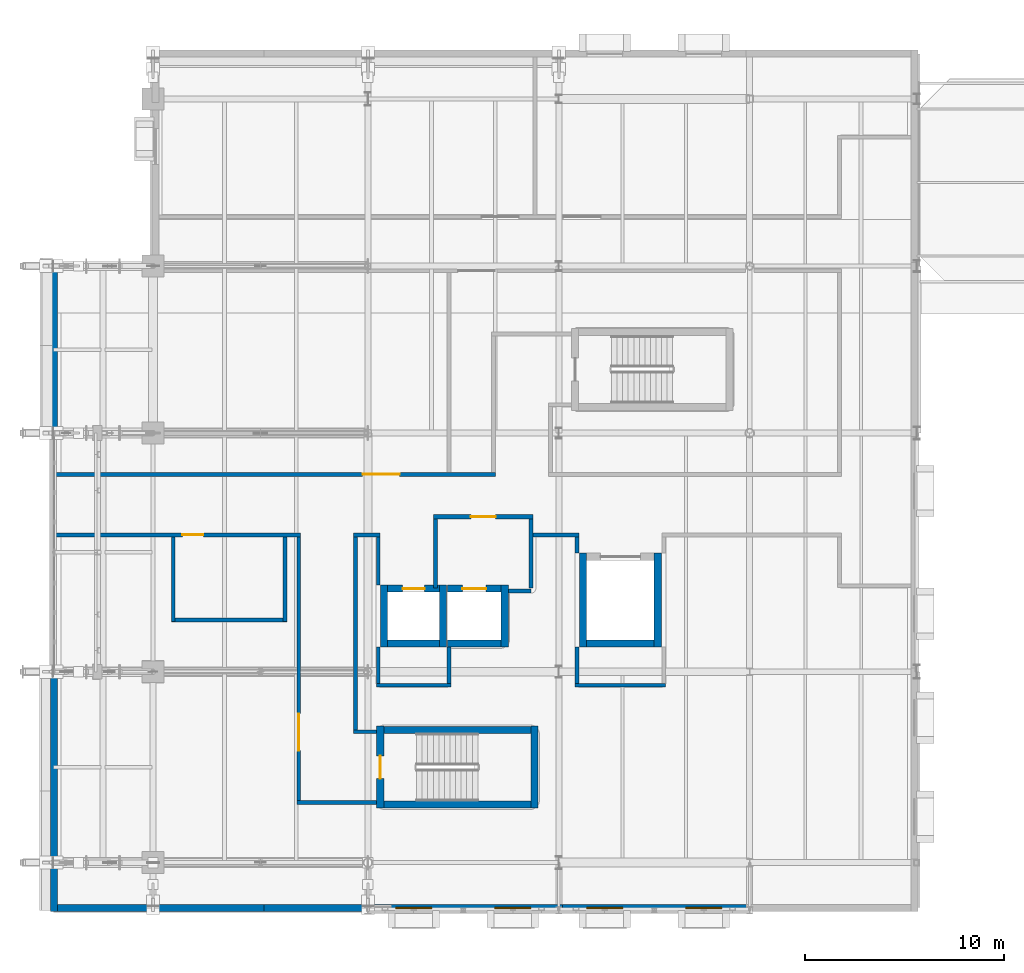
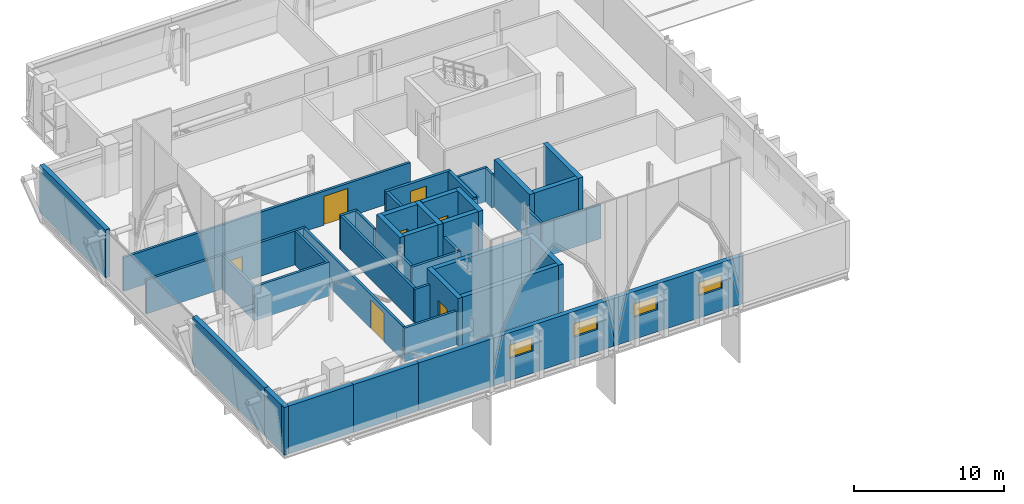
# One storey, part 61 of 90: 44 walls, 7 doors, 4 windows, 11 openings.
"""IFC4 building model written with IfcOpenShell, lengths in metres."""

from ifc_helpers import new_model, si_unit, direction, frame, frame_2d, origin, place, context, subcontext, project, spatial, rectangle, extrude, material, layer, layer_set, type_object, element, fill, save


model = new_model("IFC4")

# Units and contexts
model_context = context("Model", 3, precision=1e-05, world=origin(), true_north=direction((0.0, 1.0)))
body_context = subcontext(model_context, "Body", "Model", "MODEL_VIEW")
ifc_project = project(units=[si_unit("LENGTHUNIT", "METRE"), si_unit("AREAUNIT", "SQUARE_METRE"), si_unit("VOLUMEUNIT", "CUBIC_METRE"), si_unit("PLANEANGLEUNIT", "RADIAN"), si_unit("MASSUNIT", "GRAM", prefix="KILO")], contexts=[model_context])

# Site, building, storey
site_placement = place(None, origin())
site = spatial("IfcSite", under=ifc_project, at=site_placement, CompositionType="ELEMENT")
building_placement = place(site_placement, origin())
building = spatial("IfcBuilding", under=site, at=building_placement, Name="Zereglee Splitstone Museum", CompositionType="ELEMENT")
storey_placement = place(building_placement, frame((0.0, 0.0, 4.800048828125)))
storey = spatial("IfcBuildingStorey", under=building, at=storey_placement, Name="L01", CompositionType="ELEMENT", Elevation=4.800048828125)

# Wall, opening, door
ifc_material_1 = material(Name="Concrete C45/55", Category="concrete")
ifc_layer_1 = layer(ifc_material_1, 0.360107421875)
ifc_layer_set_1 = layer_set([ifc_layer_1], Name="Concrete C45/55")
wall_type_1 = type_object("IfcWallType", Name="CSW-02", PredefinedType="SHEAR", material=ifc_layer_set_1)
wall_1_placement = place(storey_placement, frame((21.02001953125, 2.739990234375, 0.0), z_axis=(0.0, 0.0, 1.0), x_axis=(0.0, 1.0, 0.0)))
wall_1 = element("IfcWall", 1, at=wall_1_placement, inside=storey, type_object=wall_type_1, Name="Stair Core Shear Wall ST-01 L01 West", PredefinedType="SHEAR", context=body_context, shape_type="SweptSolid", body=[
    extrude(rectangle(XDim=4.1201171875, YDim=0.360107421875, at=frame_2d((2.06005859375, 0.0))), origin(), (0.0, 0.0, 1.0), 3.8798828125),
])
opening_1_placement = place(wall_1_placement, frame((1.485107421875, 0.0, 0.0)))
opening_1 = element("IfcOpeningElement", 2, at=opening_1_placement, cuts=wall_1, Name="Opening ID-03", PredefinedType="OPENING", context=body_context, shape_type="SweptSolid", body=[
    extrude(rectangle(XDim=1.14990234375, YDim=2.14990234375, at=frame_2d((0.574951171875, 1.074951171875))), frame((0.0, 0.19482421875, 0.0), z_axis=(0.0, -1.0, 0.0), x_axis=(1.0, 0.0, 0.0)), (0.0, 0.0, 1.0), 0.389892578125),
])
ifc_material_2 = material(Name="Fire-rated steel and Siberian larch leaf", Category="steel")
door_type_1 = type_object("IfcDoorType", Name="ID-03", OperationType="NOTDEFINED", PredefinedType="DOOR", material=ifc_material_2)
door_1_placement = place(opening_1_placement, origin())
door_1 = element("IfcDoor", 3, at=door_1_placement, inside=storey, type_object=door_type_1, Name="Protected Stair Fire Door ST-01 L01", OperationType="SINGLE_SWING_LEFT", OverallHeight=2.14990234375, OverallWidth=1.14990234375, PredefinedType="DOOR", context=body_context, shape_type="SweptSolid", body=[
    extrude(rectangle(XDim=1.14990234375, YDim=2.14990234375, at=frame_2d((0.574951171875, 1.074951171875))), frame((0.0, 0.02490234375, 0.0), z_axis=(0.0, -1.0, 0.0), x_axis=(1.0, 0.0, 0.0)), (0.0, 0.0, 1.0), 0.050048828125),
])
fill(opening_1, door_1)

# Walls
wall_2_placement = place(storey_placement, frame((28.780029296875, 2.739990234375, 0.0), z_axis=(0.0, 0.0, 1.0), x_axis=(0.0, 1.0, 0.0)))
element("IfcWall", 4, at=wall_2_placement, inside=storey, type_object=wall_type_1, Name="Stair Core Shear Wall ST-01 L01 East", PredefinedType="SHEAR", context=body_context, shape_type="SweptSolid", body=[
    extrude(rectangle(XDim=4.1201171875, YDim=0.360107421875, at=frame_2d((2.06005859375, 0.0))), origin(), (0.0, 0.0, 1.0), 3.8798828125),
])
for number, where, z_axis, x_axis, name in (
    (5, (21.199951171875, 6.679931640625, 0.0), (0.0, 0.0, 1.0), (1.0, 0.0, 0.0), "Stair Core Shear Wall ST-01 L01 North"),
    (6, (21.199951171875, 2.919921875, 0.0), (0.0, 0.0, 1.0), (1.0, 0.0, 0.0), "Stair Core Shear Wall ST-01 L01 South"),
):
    element("IfcWall", number, at=place(storey_placement, frame(where, z_axis=z_axis, x_axis=x_axis)), inside=storey, type_object=wall_type_1, Name=name, PredefinedType="SHEAR", context=body_context, shape_type="SweptSolid", body=[
        extrude(rectangle(XDim=7.400146484375, YDim=0.360107421875, at=frame_2d((3.7001953125, 0.0))), origin(), (0.0, 0.0, 1.0), 3.8798828125),
    ])

# Wall, opening, door
wall_3_placement = place(storey_placement, frame((21.39990234375, 13.780029296875, 0.0), z_axis=(0.0, 0.0, 1.0), x_axis=(1.0, 0.0, 0.0)))
wall_3 = element("IfcWall", 7, at=wall_3_placement, inside=storey, type_object=wall_type_1, Name="Lift Shaft Wall PL-01 L01 North", PredefinedType="SHEAR", context=body_context, shape_type="SweptSolid", body=[
    extrude(rectangle(XDim=2.60009765625, YDim=0.360107421875, at=frame_2d((1.300048828125, 0.0))), origin(), (0.0, 0.0, 1.0), 3.8798828125),
])
opening_2_placement = place(wall_3_placement, frame((0.75, 0.0, 0.0)))
opening_2 = element("IfcOpeningElement", 8, at=opening_2_placement, cuts=wall_3, Name="Opening LD-01", PredefinedType="OPENING", context=body_context, shape_type="SweptSolid", body=[
    extrude(rectangle(XDim=1.10009765625, YDim=2.14990234375, at=frame_2d((0.550048828125, 1.074951171875))), frame((0.0, 0.19482421875, 0.0), z_axis=(0.0, -1.0, 0.0), x_axis=(1.0, 0.0, 0.0)), (0.0, 0.0, 1.0), 0.389892578125),
])
door_type_2 = type_object("IfcDoorType", Name="LD-01", OperationType="DOUBLE_DOOR_SLIDING", PredefinedType="DOOR", material=ifc_material_2)
door_2_placement = place(opening_2_placement, origin())
door_2 = element("IfcDoor", 9, at=door_2_placement, inside=storey, type_object=door_type_2, Name="Lift Landing Sliding Door PL-01 L01", OperationType="DOUBLE_DOOR_SLIDING", OverallHeight=2.14990234375, OverallWidth=1.10009765625, PredefinedType="DOOR", context=body_context, shape_type="SweptSolid", body=[
    extrude(rectangle(XDim=1.10009765625, YDim=2.14990234375, at=frame_2d((0.550048828125, 1.074951171875))), frame((0.0, 0.02490234375, 0.0), z_axis=(0.0, -1.0, 0.0), x_axis=(1.0, 0.0, 0.0)), (0.0, 0.0, 1.0), 0.050048828125),
])
fill(opening_2, door_2)

# Walls
wall_4_placement = place(storey_placement, frame((21.39990234375, 11.02001953125, 0.0), z_axis=(0.0, 0.0, 1.0), x_axis=(1.0, 0.0, 0.0)))
element("IfcWall", 10, at=wall_4_placement, inside=storey, type_object=wall_type_1, Name="Lift Shaft Wall PL-01 L01 South", PredefinedType="SHEAR", context=body_context, shape_type="SweptSolid", body=[
    extrude(rectangle(XDim=2.60009765625, YDim=0.360107421875, at=frame_2d((1.300048828125, 0.0))), origin(), (0.0, 0.0, 1.0), 3.8798828125),
])
for number, where, z_axis, x_axis, name in (
    (11, (21.219970703125, 10.840087890625, 0.0), (0.0, 0.0, 1.0), (0.0, 1.0, 0.0), "Lift Shaft Wall PL-01 L01 West"),
    (12, (24.179931640625, 10.840087890625, 0.0), (0.0, 0.0, 1.0), (0.0, 1.0, 0.0), "Lift Shaft Wall PL-01 L01 East"),
):
    element("IfcWall", number, at=place(storey_placement, frame(where, z_axis=z_axis, x_axis=x_axis)), inside=storey, type_object=wall_type_1, Name=name, PredefinedType="SHEAR", context=body_context, shape_type="SweptSolid", body=[
        extrude(rectangle(XDim=3.119873046875, YDim=0.360107421875, at=frame_2d((1.56005859375, 0.0))), origin(), (0.0, 0.0, 1.0), 3.8798828125),
    ])

# Wall, opening, door
wall_5_placement = place(storey_placement, frame((24.39990234375, 13.780029296875, 0.0), z_axis=(0.0, 0.0, 1.0), x_axis=(1.0, 0.0, 0.0)))
wall_5 = element("IfcWall", 13, at=wall_5_placement, inside=storey, type_object=wall_type_1, Name="Lift Shaft Wall FL-01 L01 North", PredefinedType="SHEAR", context=body_context, shape_type="SweptSolid", body=[
    extrude(rectangle(XDim=2.7001953125, YDim=0.360107421875, at=frame_2d((1.35009765625, 0.0))), origin(), (0.0, 0.0, 1.0), 3.8798828125),
])
opening_3_placement = place(wall_5_placement, frame((0.75, 0.0, 0.0)))
opening_3 = element("IfcOpeningElement", 14, at=opening_3_placement, cuts=wall_5, Name="Opening LD-02", PredefinedType="OPENING", context=body_context, shape_type="SweptSolid", body=[
    extrude(rectangle(XDim=1.199951171875, YDim=2.14990234375, at=frame_2d((0.60009765625, 1.074951171875))), frame((0.0, 0.19482421875, 0.0), z_axis=(0.0, -1.0, 0.0), x_axis=(1.0, 0.0, 0.0)), (0.0, 0.0, 1.0), 0.389892578125),
])
door_type_3 = type_object("IfcDoorType", Name="LD-02", OperationType="DOUBLE_DOOR_SLIDING", PredefinedType="DOOR", material=ifc_material_2)
door_3_placement = place(opening_3_placement, origin())
door_3 = element("IfcDoor", 15, at=door_3_placement, inside=storey, type_object=door_type_3, Name="Lift Landing Sliding Door FL-01 L01", OperationType="DOUBLE_DOOR_SLIDING", OverallHeight=2.14990234375, OverallWidth=1.199951171875, PredefinedType="DOOR", context=body_context, shape_type="SweptSolid", body=[
    extrude(rectangle(XDim=1.199951171875, YDim=2.14990234375, at=frame_2d((0.60009765625, 1.074951171875))), frame((0.0, 0.02490234375, 0.0), z_axis=(0.0, -1.0, 0.0), x_axis=(1.0, 0.0, 0.0)), (0.0, 0.0, 1.0), 0.050048828125),
])
fill(opening_3, door_3)

# Walls
wall_6_placement = place(storey_placement, frame((24.39990234375, 11.02001953125, 0.0), z_axis=(0.0, 0.0, 1.0), x_axis=(1.0, 0.0, 0.0)))
element("IfcWall", 16, at=wall_6_placement, inside=storey, type_object=wall_type_1, Name="Lift Shaft Wall FL-01 L01 South", PredefinedType="SHEAR", context=body_context, shape_type="SweptSolid", body=[
    extrude(rectangle(XDim=2.7001953125, YDim=0.360107421875, at=frame_2d((1.35009765625, 0.0))), origin(), (0.0, 0.0, 1.0), 3.8798828125),
])
wall_7_placement = place(storey_placement, frame((27.280029296875, 10.840087890625, 0.0), z_axis=(0.0, 0.0, 1.0), x_axis=(0.0, 1.0, 0.0)))
element("IfcWall", 17, at=wall_7_placement, inside=storey, type_object=wall_type_1, Name="Lift Shaft Wall FL-01 L01 East", PredefinedType="SHEAR", context=body_context, shape_type="SweptSolid", body=[
    extrude(rectangle(XDim=3.119873046875, YDim=0.360107421875, at=frame_2d((1.56005859375, 0.0))), origin(), (0.0, 0.0, 1.0), 3.8798828125),
])
wall_8_placement = place(storey_placement, frame((31.39990234375, 11.02001953125, 0.0), z_axis=(0.0, 0.0, 1.0), x_axis=(1.0, 0.0, 0.0)))
element("IfcWall", 18, at=wall_8_placement, inside=storey, type_object=wall_type_1, Name="Lift Shaft Wall GL-02 L01 South", PredefinedType="SHEAR", context=body_context, shape_type="SweptSolid", body=[
    extrude(rectangle(XDim=3.400146484375, YDim=0.360107421875, at=frame_2d((1.7001953125, 0.0))), origin(), (0.0, 0.0, 1.0), 3.8798828125),
])
for number, where, z_axis, x_axis, name in (
    (19, (31.219970703125, 10.840087890625, 0.0), (0.0, 0.0, 1.0), (0.0, 1.0, 0.0), "Lift Shaft Wall GL-02 L01 West"),
    (20, (34.97998046875, 10.840087890625, 0.0), (0.0, 0.0, 1.0), (0.0, 1.0, 0.0), "Lift Shaft Wall GL-02 L01 East"),
):
    element("IfcWall", number, at=place(storey_placement, frame(where, z_axis=z_axis, x_axis=x_axis)), inside=storey, type_object=wall_type_1, Name=name, PredefinedType="SHEAR", context=body_context, shape_type="SweptSolid", body=[
        extrude(rectangle(XDim=4.719970703125, YDim=0.360107421875, at=frame_2d((2.35986328125, 0.0))), origin(), (0.0, 0.0, 1.0), 3.8798828125),
    ])
ifc_material_3 = material(Name="Precast concrete C40/50", Category="concrete")
ifc_layer_2 = layer(ifc_material_3, 0.35009765625)
ifc_layer_set_2 = layer_set([ifc_layer_2], Name="Precast concrete C40/50")
wall_type_2 = type_object("IfcWallType", Name="EW-01", PredefinedType="STANDARD", material=ifc_layer_set_2)
wall_9_placement = place(storey_placement, frame((4.6201171875, 30.179931640625, 0.0), z_axis=(0.0, 0.0, 1.0), x_axis=(0.0, -1.0, 0.0)))
element("IfcWall", 21, at=wall_9_placement, inside=storey, type_object=wall_type_2, Name="Exterior Backup Wall RC4-EW-L01-0044", PredefinedType="STANDARD", context=body_context, shape_type="SweptSolid", body=[
    extrude(rectangle(XDim=8.760009765625, YDim=0.35009765625, at=frame_2d((4.3798828125, 0.0))), origin(), (0.0, 0.0, 1.0), 3.89990234375),
])
wall_10_placement = place(storey_placement, frame((4.6201171875, 9.780029296875, 0.0), z_axis=(0.0, 0.0, 1.0), x_axis=(0.0, -1.0, 0.0)))
element("IfcWall", 22, at=wall_10_placement, inside=storey, type_object=wall_type_2, Name="Exterior Backup Wall RC4-EW-L01-0045", PredefinedType="STANDARD", context=body_context, shape_type="SweptSolid", body=[
    extrude(rectangle(XDim=9.9599609375, YDim=0.35009765625, at=frame_2d((4.97998046875, 0.0))), origin(), (0.0, 0.0, 1.0), 3.89990234375),
])
wall_11_placement = place(storey_placement, frame((4.6201171875, 0.179931640625, 0.0), z_axis=(0.0, 0.0, 1.0), x_axis=(0.0, -1.0, 0.0)))
element("IfcWall", 23, at=wall_11_placement, inside=storey, type_object=wall_type_2, Name="Exterior Backup Wall RC4-EW-L01-0046", PredefinedType="STANDARD", context=body_context, shape_type="SweptSolid", body=[
    extrude(rectangle(XDim=2.639892578125, YDim=0.35009765625, at=frame_2d((1.31982421875, 0.0))), origin(), (0.0, 0.0, 1.0), 3.89990234375),
])
wall_12_placement = place(storey_placement, frame((4.43994140625, -2.280029296875, 0.0), z_axis=(0.0, 0.0, 1.0), x_axis=(1.0, 0.0, 0.0)))
element("IfcWall", 24, at=wall_12_placement, inside=storey, type_object=wall_type_2, Name="Exterior Backup Wall RC4-EW-L01-0047", PredefinedType="STANDARD", context=body_context, shape_type="SweptSolid", body=[
    extrude(rectangle(XDim=5.340087890625, YDim=0.35009765625, at=frame_2d((2.669921875, 0.0))), origin(), (0.0, 0.0, 1.0), 3.89990234375),
])
for number, where, z_axis, x_axis, name in (
    (25, (9.419921875, -2.280029296875, 0.0), (0.0, 0.0, 1.0), (1.0, 0.0, 0.0), "Exterior Backup Wall RC4-EW-L01-0048"),
    (26, (14.820068359375, -2.280029296875, 0.0), (0.0, 0.0, 1.0), (1.0, 0.0, 0.0), "Exterior Backup Wall RC4-EW-L01-0049"),
):
    element("IfcWall", number, at=place(storey_placement, frame(where, z_axis=z_axis, x_axis=x_axis)), inside=storey, type_object=wall_type_2, Name=name, PredefinedType="STANDARD", context=body_context, shape_type="SweptSolid", body=[
        extrude(rectangle(XDim=5.760009765625, YDim=0.35009765625, at=frame_2d((2.8798828125, 0.0))), origin(), (0.0, 0.0, 1.0), 3.89990234375),
    ])

# Wall, openings, windows
wall_13_placement = place(storey_placement, frame((20.219970703125, -2.280029296875, 0.0), z_axis=(0.0, 0.0, 1.0), x_axis=(1.0, 0.0, 0.0)))
wall_13 = element("IfcWall", 27, at=wall_13_placement, inside=storey, type_object=wall_type_2, Name="Exterior Backup Wall RC4-EW-L01-0050", PredefinedType="STANDARD", context=body_context, shape_type="SweptSolid", body=[
    extrude(rectangle(XDim=9.9599609375, YDim=0.35009765625, at=frame_2d((4.97998046875, 0.0))), origin(), (0.0, 0.0, 1.0), 3.89990234375),
])
opening_4_placement = place(wall_13_placement, frame((1.590087890625, 0.0, 1.800048828125)))
opening_4 = element("IfcOpeningElement", 28, at=opening_4_placement, cuts=wall_13, Name="Opening EW-W12", PredefinedType="OPENING", context=body_context, shape_type="SweptSolid", body=[
    extrude(rectangle(XDim=1.800048828125, YDim=1.10009765625, at=frame_2d((0.89990234375, 0.550048828125))), frame((0.0, 0.18994140625, 0.0), z_axis=(0.0, -1.0, 0.0), x_axis=(1.0, 0.0, 0.0)), (0.0, 0.0, 1.0), 0.3798828125),
])
opening_5_placement = place(wall_13_placement, frame((6.570068359375, 0.0, 1.800048828125)))
opening_5 = element("IfcOpeningElement", 29, at=opening_5_placement, cuts=wall_13, Name="Opening EW-W12", PredefinedType="OPENING", context=body_context, shape_type="SweptSolid", body=[
    extrude(rectangle(XDim=1.800048828125, YDim=1.10009765625, at=frame_2d((0.89990234375, 0.550048828125))), frame((0.0, 0.18994140625, 0.0), z_axis=(0.0, -1.0, 0.0), x_axis=(1.0, 0.0, 0.0)), (0.0, 0.0, 1.0), 0.3798828125),
])
ifc_material_4 = material(Name="Thermally broken aluminium frame with triple low-e glazing", Category="aluminium")
window_type = type_object("IfcWindowType", Name="EW-W12", PartitioningType="DOUBLE_PANEL_HORIZONTAL", PredefinedType="WINDOW", material=ifc_material_4)
window_1_placement = place(opening_4_placement, origin())
window_1 = element("IfcWindow", 30, at=window_1_placement, inside=storey, type_object=window_type, Name="Mughal Deep-Reveal Gallery Window L01-0021", OverallHeight=1.10009765625, OverallWidth=1.800048828125, PartitioningType="SINGLE_PANEL", PredefinedType="WINDOW", context=body_context, shape_type="SweptSolid", body=[
    extrude(rectangle(XDim=1.800048828125, YDim=1.10009765625, at=frame_2d((0.89990234375, 0.550048828125))), frame((0.0, 0.030029296875, 0.0), z_axis=(0.0, -1.0, 0.0), x_axis=(1.0, 0.0, 0.0)), (0.0, 0.0, 1.0), 0.06005859375),
])
fill(opening_4, window_1)
window_2_placement = place(opening_5_placement, origin())
window_2 = element("IfcWindow", 31, at=window_2_placement, inside=storey, type_object=window_type, Name="Mughal Deep-Reveal Gallery Window L01-0022", OverallHeight=1.10009765625, OverallWidth=1.800048828125, PartitioningType="SINGLE_PANEL", PredefinedType="WINDOW", context=body_context, shape_type="SweptSolid", body=[
    extrude(rectangle(XDim=1.800048828125, YDim=1.10009765625, at=frame_2d((0.89990234375, 0.550048828125))), frame((0.0, 0.030029296875, 0.0), z_axis=(0.0, -1.0, 0.0), x_axis=(1.0, 0.0, 0.0)), (0.0, 0.0, 1.0), 0.06005859375),
])
fill(opening_5, window_2)

wall_14_placement = place(storey_placement, frame((29.820068359375, -2.280029296875, 0.0), z_axis=(0.0, 0.0, 1.0), x_axis=(1.0, 0.0, 0.0)))
wall_14 = element("IfcWall", 32, at=wall_14_placement, inside=storey, type_object=wall_type_2, Name="Exterior Backup Wall RC4-EW-L01-0051", PredefinedType="STANDARD", context=body_context, shape_type="SweptSolid", body=[
    extrude(rectangle(XDim=9.9599609375, YDim=0.35009765625, at=frame_2d((4.97998046875, 0.0))), origin(), (0.0, 0.0, 1.0), 3.89990234375),
])
opening_6_placement = place(wall_14_placement, frame((1.590087890625, 0.0, 1.800048828125)))
opening_6 = element("IfcOpeningElement", 33, at=opening_6_placement, cuts=wall_14, Name="Opening EW-W12", PredefinedType="OPENING", context=body_context, shape_type="SweptSolid", body=[
    extrude(rectangle(XDim=1.800048828125, YDim=1.10009765625, at=frame_2d((0.89990234375, 0.550048828125))), frame((0.0, 0.18994140625, 0.0), z_axis=(0.0, -1.0, 0.0), x_axis=(1.0, 0.0, 0.0)), (0.0, 0.0, 1.0), 0.3798828125),
])
opening_7_placement = place(wall_14_placement, frame((6.570068359375, 0.0, 1.800048828125)))
opening_7 = element("IfcOpeningElement", 34, at=opening_7_placement, cuts=wall_14, Name="Opening EW-W12", PredefinedType="OPENING", context=body_context, shape_type="SweptSolid", body=[
    extrude(rectangle(XDim=1.800048828125, YDim=1.10009765625, at=frame_2d((0.89990234375, 0.550048828125))), frame((0.0, 0.18994140625, 0.0), z_axis=(0.0, -1.0, 0.0), x_axis=(1.0, 0.0, 0.0)), (0.0, 0.0, 1.0), 0.3798828125),
])
window_3_placement = place(opening_6_placement, origin())
window_3 = element("IfcWindow", 35, at=window_3_placement, inside=storey, type_object=window_type, Name="Mughal Deep-Reveal Gallery Window L01-0023", OverallHeight=1.10009765625, OverallWidth=1.800048828125, PartitioningType="SINGLE_PANEL", PredefinedType="WINDOW", context=body_context, shape_type="SweptSolid", body=[
    extrude(rectangle(XDim=1.800048828125, YDim=1.10009765625, at=frame_2d((0.89990234375, 0.550048828125))), frame((0.0, 0.030029296875, 0.0), z_axis=(0.0, -1.0, 0.0), x_axis=(1.0, 0.0, 0.0)), (0.0, 0.0, 1.0), 0.06005859375),
])
fill(opening_6, window_3)
window_4_placement = place(opening_7_placement, origin())
window_4 = element("IfcWindow", 36, at=window_4_placement, inside=storey, type_object=window_type, Name="Mughal Deep-Reveal Gallery Window L01-0024", OverallHeight=1.10009765625, OverallWidth=1.800048828125, PartitioningType="SINGLE_PANEL", PredefinedType="WINDOW", context=body_context, shape_type="SweptSolid", body=[
    extrude(rectangle(XDim=1.800048828125, YDim=1.10009765625, at=frame_2d((0.89990234375, 0.550048828125))), frame((0.0, 0.030029296875, 0.0), z_axis=(0.0, -1.0, 0.0), x_axis=(1.0, 0.0, 0.0)), (0.0, 0.0, 1.0), 0.06005859375),
])
fill(opening_7, window_4)

# Wall, opening, door
ifc_material_5 = material(Name="Concrete C35/45", Category="concrete")
ifc_layer_3 = layer(ifc_material_5, 0.219970703125)
ifc_layer_set_3 = layer_set([ifc_layer_3], Name="Concrete C35/45")
wall_type_3 = type_object("IfcWallType", Name="IW-01", PredefinedType="PARTITIONING", material=ifc_layer_set_3)
wall_15_placement = place(storey_placement, frame((23.68994140625, 17.39990234375, 0.0), z_axis=(0.0, 0.0, 1.0), x_axis=(1.0, 0.0, 0.0)))
wall_15 = element("IfcWall", 37, at=wall_15_placement, inside=storey, type_object=wall_type_3, Name="Firefighting Lobby Wall L01 North", PredefinedType="PARTITIONING", context=body_context, shape_type="SweptSolid", body=[
    extrude(rectangle(XDim=5.02001953125, YDim=0.219970703125, at=frame_2d((2.510009765625, 0.0))), origin(), (0.0, 0.0, 1.0), 2.760009765625),
])
opening_8_placement = place(wall_15_placement, frame((1.885009765625, 0.0, 0.0)))
opening_8 = element("IfcOpeningElement", 38, at=opening_8_placement, cuts=wall_15, Name="Opening ID-04", PredefinedType="OPENING", context=body_context, shape_type="SweptSolid", body=[
    extrude(rectangle(XDim=1.25, YDim=2.14990234375, at=frame_2d((0.625, 1.074951171875))), frame((0.0, 0.125, 0.0), z_axis=(0.0, -1.0, 0.0), x_axis=(1.0, 0.0, 0.0)), (0.0, 0.0, 1.0), 0.249755859375),
])
door_type_4 = type_object("IfcDoorType", Name="ID-04", OperationType="NOTDEFINED", PredefinedType="DOOR", material=ifc_material_2)
door_4_placement = place(opening_8_placement, origin())
door_4 = element("IfcDoor", 39, at=door_4_placement, inside=storey, type_object=door_type_4, Name="Firefighting Lobby Fire Door L01", OperationType="SINGLE_SWING_RIGHT", OverallHeight=2.14990234375, OverallWidth=1.25, PredefinedType="DOOR", context=body_context, shape_type="SweptSolid", body=[
    extrude(rectangle(XDim=1.25, YDim=2.14990234375, at=frame_2d((0.625, 1.074951171875))), frame((0.0, 0.02490234375, 0.0), z_axis=(0.0, -1.0, 0.0), x_axis=(1.0, 0.0, 0.0)), (0.0, 0.0, 1.0), 0.050048828125),
])
fill(opening_8, door_4)

# Walls
for number, where, z_axis, x_axis, name in (
    (40, (23.800048828125, 13.800048828125, 0.0), (0.0, 0.0, 1.0), (0.0, 1.0, 0.0), "Firefighting Lobby Wall L01 West"),
    (41, (28.60009765625, 13.800048828125, 0.0), (0.0, 0.0, 1.0), (0.0, 1.0, 0.0), "Firefighting Lobby Wall L01 East"),
):
    element("IfcWall", number, at=place(storey_placement, frame(where, z_axis=z_axis, x_axis=x_axis)), inside=storey, type_object=wall_type_3, Name=name, PredefinedType="PARTITIONING", context=body_context, shape_type="SweptSolid", body=[
        extrude(rectangle(XDim=3.489990234375, YDim=0.219970703125, at=frame_2d((1.7451171875, 0.0))), origin(), (0.0, 0.0, 1.0), 2.760009765625),
    ])
ifc_material_6 = material(Name="Gypsum board on acoustic steel stud", Category="steel")
ifc_layer_4 = layer(ifc_material_6, 0.18994140625)
ifc_layer_set_4 = layer_set([ifc_layer_4], Name="Gypsum board on acoustic steel stud")
wall_type_4 = type_object("IfcWallType", Name="IW-02", PredefinedType="PARTITIONING", material=ifc_layer_set_4)
wall_16_placement = place(storey_placement, frame((16.824951171875, 3.02001953125, 0.0), z_axis=(0.0, 0.0, 1.0), x_axis=(1.0, 0.0, 0.0)))
element("IfcWall", 42, at=wall_16_placement, inside=storey, type_object=wall_type_4, Name="Interior Partition L01-0325 (Paleontology Exhibition Hall)", PredefinedType="PARTITIONING", context=body_context, shape_type="SweptSolid", body=[
    extrude(rectangle(XDim=4.01513671875, YDim=0.18994140625, at=frame_2d((2.007568359375, 0.0))), origin(), (0.0, 0.0, 1.0), 2.760009765625),
])
wall_17_placement = place(storey_placement, frame((19.68505859375, 6.580078125, 0.0), z_axis=(0.0, 0.0, 1.0), x_axis=(1.0, 0.0, 0.0)))
element("IfcWall", 43, at=wall_17_placement, inside=storey, type_object=wall_type_4, Name="Interior Partition L01-0327 (Paleontology Exhibition Hall)", PredefinedType="PARTITIONING", context=body_context, shape_type="SweptSolid", body=[
    extrude(rectangle(XDim=1.155029296875, YDim=0.18994140625, at=frame_2d((0.57763671875, 0.0))), origin(), (0.0, 0.0, 1.0), 2.760009765625),
])
wall_18_placement = place(storey_placement, frame((20.824951171875, 8.919921875, 0.0), z_axis=(0.0, 0.0, 1.0), x_axis=(1.0, 0.0, 0.0)))
element("IfcWall", 44, at=wall_18_placement, inside=storey, type_object=wall_type_4, Name="Interior Partition L01-0329 (Paleontology Exhibition Hall)", PredefinedType="PARTITIONING", context=body_context, shape_type="SweptSolid", body=[
    extrude(rectangle(XDim=3.75, YDim=0.18994140625, at=frame_2d((1.875, 0.0))), origin(), (0.0, 0.0, 1.0), 2.760009765625),
])
wall_19_placement = place(storey_placement, frame((30.824951171875, 8.919921875, 0.0), z_axis=(0.0, 0.0, 1.0), x_axis=(1.0, 0.0, 0.0)))
element("IfcWall", 45, at=wall_19_placement, inside=storey, type_object=wall_type_4, Name="Interior Partition L01-0330 (Paleontology Exhibition Hall)", PredefinedType="PARTITIONING", context=body_context, shape_type="SweptSolid", body=[
    extrude(rectangle(XDim=4.550048828125, YDim=0.18994140625, at=frame_2d((2.27490234375, 0.0))), origin(), (0.0, 0.0, 1.0), 2.760009765625),
])
wall_20_placement = place(storey_placement, frame((10.52490234375, 12.199951171875, 0.0), z_axis=(0.0, 0.0, 1.0), x_axis=(1.0, 0.0, 0.0)))
element("IfcWall", 46, at=wall_20_placement, inside=storey, type_object=wall_type_4, Name="Interior Partition L01-0334 (Public Washroom)", PredefinedType="PARTITIONING", context=body_context, shape_type="SweptSolid", body=[
    extrude(rectangle(XDim=5.81005859375, YDim=0.18994140625, at=frame_2d((2.905029296875, 0.0))), origin(), (0.0, 0.0, 1.0), 2.760009765625),
])
wall_21_placement = place(storey_placement, frame((27.4599609375, 13.659912109375, 0.0), z_axis=(0.0, 0.0, 1.0), x_axis=(1.0, 0.0, 0.0)))
element("IfcWall", 47, at=wall_21_placement, inside=storey, type_object=wall_type_4, Name="Interior Partition L01-0339 (Paleontology Exhibition Hall)", PredefinedType="PARTITIONING", context=body_context, shape_type="SweptSolid", body=[
    extrude(rectangle(XDim=1.14013671875, YDim=0.18994140625, at=frame_2d((0.570068359375, 0.0))), origin(), (0.0, 0.0, 1.0), 2.760009765625),
])

# Wall, opening, door
wall_22_placement = place(storey_placement, frame((4.7099609375, 16.47998046875, 0.0), z_axis=(0.0, 0.0, 1.0), x_axis=(1.0, 0.0, 0.0)))
wall_22 = element("IfcWall", 48, at=wall_22_placement, inside=storey, type_object=wall_type_4, Name="Interior Partition L01-0342 (Public Washroom)", PredefinedType="PARTITIONING", context=body_context, shape_type="SweptSolid", body=[
    extrude(rectangle(XDim=12.304931640625, YDim=0.18994140625, at=frame_2d((6.15234375, 0.0))), origin(), (0.0, 0.0, 1.0), 2.760009765625),
])
opening_9_placement = place(wall_22_placement, frame((6.36572265625, 0.0, 0.0)))
opening_9 = element("IfcOpeningElement", 49, at=opening_9_placement, cuts=wall_22, Name="Opening ID-12", PredefinedType="OPENING", context=body_context, shape_type="SweptSolid", body=[
    extrude(rectangle(XDim=1.050048828125, YDim=2.10009765625, at=frame_2d((0.52490234375, 1.050048828125))), frame((0.0, 0.10986328125, 0.0), z_axis=(0.0, -1.0, 0.0), x_axis=(1.0, 0.0, 0.0)), (0.0, 0.0, 1.0), 0.2197265625),
])
ifc_material_7 = material(Name="Siberian larch acoustic timber leaf in bronze-steel frame", Category="steel")
door_type_5 = type_object("IfcDoorType", Name="ID-12", OperationType="NOTDEFINED", PredefinedType="DOOR", material=ifc_material_7)
door_5_placement = place(opening_9_placement, frame((1.050048828125, 0.0, 0.0), z_axis=(0.0, 0.0, 1.0), x_axis=(-1.0, 0.0, 0.0)))
door_5 = element("IfcDoor", 50, at=door_5_placement, inside=storey, type_object=door_type_5, Name="Interior Door L01-0057 (Public Washroom)", OperationType="SINGLE_SWING_RIGHT", OverallHeight=2.10009765625, OverallWidth=1.050048828125, PredefinedType="DOOR", context=body_context, shape_type="SweptSolid", body=[
    extrude(rectangle(XDim=1.050048828125, YDim=2.10009765625, at=frame_2d((0.52490234375, 1.050048828125))), frame((0.0, 0.02490234375, 0.0), z_axis=(0.0, -1.0, 0.0), x_axis=(1.0, 0.0, 0.0)), (0.0, 0.0, 1.0), 0.050048828125),
])
fill(opening_9, door_5)

# Walls
wall_23_placement = place(storey_placement, frame((19.68505859375, 16.47998046875, 0.0), z_axis=(0.0, 0.0, 1.0), x_axis=(1.0, 0.0, 0.0)))
element("IfcWall", 51, at=wall_23_placement, inside=storey, type_object=wall_type_4, Name="Interior Partition L01-0343 (Paleontology Exhibition Hall)", PredefinedType="PARTITIONING", context=body_context, shape_type="SweptSolid", body=[
    extrude(rectangle(XDim=1.329833984375, YDim=0.18994140625, at=frame_2d((0.6650390625, 0.0))), origin(), (0.0, 0.0, 1.0), 2.760009765625),
])
wall_24_placement = place(storey_placement, frame((28.7099609375, 16.47998046875, 0.0), z_axis=(0.0, 0.0, 1.0), x_axis=(1.0, 0.0, 0.0)))
element("IfcWall", 52, at=wall_24_placement, inside=storey, type_object=wall_type_4, Name="Interior Partition L01-0344 (Paleontology Exhibition Hall)", PredefinedType="PARTITIONING", context=body_context, shape_type="SweptSolid", body=[
    extrude(rectangle(XDim=2.304931640625, YDim=0.18994140625, at=frame_2d((1.15234375, 0.0))), origin(), (0.0, 0.0, 1.0), 2.760009765625),
])

# Wall, opening, door
wall_25_placement = place(storey_placement, frame((4.7099609375, 19.52001953125, 0.0), z_axis=(0.0, 0.0, 1.0), x_axis=(1.0, 0.0, 0.0)))
wall_25 = element("IfcWall", 53, at=wall_25_placement, inside=storey, type_object=wall_type_4, Name="Interior Partition L01-0350 (Permian Fossil Gallery)", PredefinedType="PARTITIONING", context=body_context, shape_type="SweptSolid", body=[
    extrude(rectangle(XDim=22.10498046875, YDim=0.18994140625, at=frame_2d((11.052490234375, 0.0))), origin(), (0.0, 0.0, 1.0), 2.760009765625),
])
opening_10_placement = place(wall_25_placement, frame((15.4326171875, 0.0, 0.0)))
opening_10 = element("IfcOpeningElement", 54, at=opening_10_placement, cuts=wall_25, Name="Opening ID-02", PredefinedType="OPENING", context=body_context, shape_type="SweptSolid", body=[
    extrude(rectangle(XDim=1.85009765625, YDim=2.35009765625, at=frame_2d((0.925048828125, 1.175048828125))), frame((0.0, 0.10986328125, 0.0), z_axis=(0.0, -1.0, 0.0), x_axis=(1.0, 0.0, 0.0)), (0.0, 0.0, 1.0), 0.2197265625),
])
door_type_6 = type_object("IfcDoorType", Name="ID-02", OperationType="NOTDEFINED", PredefinedType="DOOR", material=ifc_material_2)
door_6_placement = place(opening_10_placement, origin())
door_6 = element("IfcDoor", 55, at=door_6_placement, inside=storey, type_object=door_type_6, Name="Interior Door L01-0060 (Permian Fossil Gallery)", OperationType="DOUBLE_DOOR_SINGLE_SWING", OverallHeight=2.35009765625, OverallWidth=1.85009765625, PredefinedType="DOOR", context=body_context, shape_type="SweptSolid", body=[
    extrude(rectangle(XDim=1.85009765625, YDim=2.35009765625, at=frame_2d((0.925048828125, 1.175048828125))), frame((0.0, 0.02490234375, 0.0), z_axis=(0.0, -1.0, 0.0), x_axis=(1.0, 0.0, 0.0)), (0.0, 0.0, 1.0), 0.050048828125),
])
fill(opening_10, door_6)

# Walls
for number, where, z_axis, x_axis, name in (
    (56, (10.6201171875, 12.1298828125, 0.0), (0.0, 0.0, 1.0), (0.0, 1.0, 0.0), "Interior Partition L01-0392 (Public Washroom)"),
    (57, (16.239990234375, 12.1298828125, 0.0), (0.0, 0.0, 1.0), (0.0, 1.0, 0.0), "Interior Partition L01-0393 (Public Washroom)"),
):
    element("IfcWall", number, at=place(storey_placement, frame(where, z_axis=z_axis, x_axis=x_axis)), inside=storey, type_object=wall_type_4, Name=name, PredefinedType="PARTITIONING", context=body_context, shape_type="SweptSolid", body=[
        extrude(rectangle(XDim=4.255126953125, YDim=0.18994140625, at=frame_2d((2.12744140625, 0.0))), origin(), (0.0, 0.0, 1.0), 2.760009765625),
    ])

# Wall, opening, door
wall_26_placement = place(storey_placement, frame((16.919921875, 3.114990234375, 0.0), z_axis=(0.0, 0.0, 1.0), x_axis=(0.0, 1.0, 0.0)))
wall_26 = element("IfcWall", 58, at=wall_26_placement, inside=storey, type_object=wall_type_4, Name="Interior Partition L01-0394 (Paleontology Exhibition Hall)", PredefinedType="PARTITIONING", context=body_context, shape_type="SweptSolid", body=[
    extrude(rectangle(XDim=13.27001953125, YDim=0.18994140625, at=frame_2d((6.635009765625, 0.0))), origin(), (0.0, 0.0, 1.0), 2.760009765625),
])
opening_11_placement = place(wall_26_placement, frame((2.525146484375, 0.0, 0.0)))
opening_11 = element("IfcOpeningElement", 59, at=opening_11_placement, cuts=wall_26, Name="Opening ID-02", PredefinedType="OPENING", context=body_context, shape_type="SweptSolid", body=[
    extrude(rectangle(XDim=1.85009765625, YDim=2.35009765625, at=frame_2d((0.925048828125, 1.175048828125))), frame((0.0, 0.10986328125, 0.0), z_axis=(0.0, -1.0, 0.0), x_axis=(1.0, 0.0, 0.0)), (0.0, 0.0, 1.0), 0.2197265625),
])
door_7_placement = place(opening_11_placement, origin())
door_7 = element("IfcDoor", 60, at=door_7_placement, inside=storey, type_object=door_type_6, Name="Interior Door L01-0059 (Paleontology Exhibition Hall)", OperationType="DOUBLE_DOOR_SINGLE_SWING", OverallHeight=2.35009765625, OverallWidth=1.85009765625, PredefinedType="DOOR", context=body_context, shape_type="SweptSolid", body=[
    extrude(rectangle(XDim=1.85009765625, YDim=2.35009765625, at=frame_2d((0.925048828125, 1.175048828125))), frame((0.0, 0.02490234375, 0.0), z_axis=(0.0, -1.0, 0.0), x_axis=(1.0, 0.0, 0.0)), (0.0, 0.0, 1.0), 0.050048828125),
])
fill(opening_11, door_7)

# Walls
wall_27_placement = place(storey_placement, frame((19.780029296875, 6.675048828125, 0.0), z_axis=(0.0, 0.0, 1.0), x_axis=(0.0, 1.0, 0.0)))
element("IfcWall", 61, at=wall_27_placement, inside=storey, type_object=wall_type_4, Name="Interior Partition L01-0395 (Paleontology Exhibition Hall)", PredefinedType="PARTITIONING", context=body_context, shape_type="SweptSolid", body=[
    extrude(rectangle(XDim=9.7099609375, YDim=0.18994140625, at=frame_2d((4.85498046875, 0.0))), origin(), (0.0, 0.0, 1.0), 2.760009765625),
])
wall_28_placement = place(storey_placement, frame((20.919921875, 9.014892578125, 0.0), z_axis=(0.0, 0.0, 1.0), x_axis=(0.0, 1.0, 0.0)))
element("IfcWall", 62, at=wall_28_placement, inside=storey, type_object=wall_type_4, Name="Interior Partition L01-0396 (Paleontology Exhibition Hall)", PredefinedType="PARTITIONING", context=body_context, shape_type="SweptSolid", body=[
    extrude(rectangle(XDim=1.8251953125, YDim=0.18994140625, at=frame_2d((0.91259765625, 0.0))), origin(), (0.0, 0.0, 1.0), 2.760009765625),
])
wall_29_placement = place(storey_placement, frame((20.919921875, 13.9599609375, 0.0), z_axis=(0.0, 0.0, 1.0), x_axis=(0.0, 1.0, 0.0)))
element("IfcWall", 63, at=wall_29_placement, inside=storey, type_object=wall_type_4, Name="Interior Partition L01-0397 (Paleontology Exhibition Hall)", PredefinedType="PARTITIONING", context=body_context, shape_type="SweptSolid", body=[
    extrude(rectangle(XDim=2.425048828125, YDim=0.18994140625, at=frame_2d((1.21240234375, 0.0))), origin(), (0.0, 0.0, 1.0), 2.760009765625),
])
for number, where, z_axis, x_axis, name in (
    (64, (24.47998046875, 9.014892578125, 0.0), (0.0, 0.0, 1.0), (0.0, 1.0, 0.0), "Interior Partition L01-0398 (Paleontology Exhibition Hall)"),
    (65, (30.919921875, 9.014892578125, 0.0), (0.0, 0.0, 1.0), (0.0, 1.0, 0.0), "Interior Partition L01-0403 (Paleontology Exhibition Hall)"),
):
    element("IfcWall", number, at=place(storey_placement, frame(where, z_axis=z_axis, x_axis=x_axis)), inside=storey, type_object=wall_type_4, Name=name, PredefinedType="PARTITIONING", context=body_context, shape_type="SweptSolid", body=[
        extrude(rectangle(XDim=1.8251953125, YDim=0.18994140625, at=frame_2d((0.91259765625, 0.0))), origin(), (0.0, 0.0, 1.0), 2.760009765625),
    ])
wall_30_placement = place(storey_placement, frame((30.919921875, 15.56005859375, 0.0), z_axis=(0.0, 0.0, 1.0), x_axis=(0.0, 1.0, 0.0)))
element("IfcWall", 66, at=wall_30_placement, inside=storey, type_object=wall_type_4, Name="Interior Partition L01-0404 (Paleontology Exhibition Hall)", PredefinedType="PARTITIONING", context=body_context, shape_type="SweptSolid", body=[
    extrude(rectangle(XDim=0.824951171875, YDim=0.18994140625, at=frame_2d((0.41259765625, 0.0))), origin(), (0.0, 0.0, 1.0), 2.760009765625),
])

save(model, "model.ifc")
